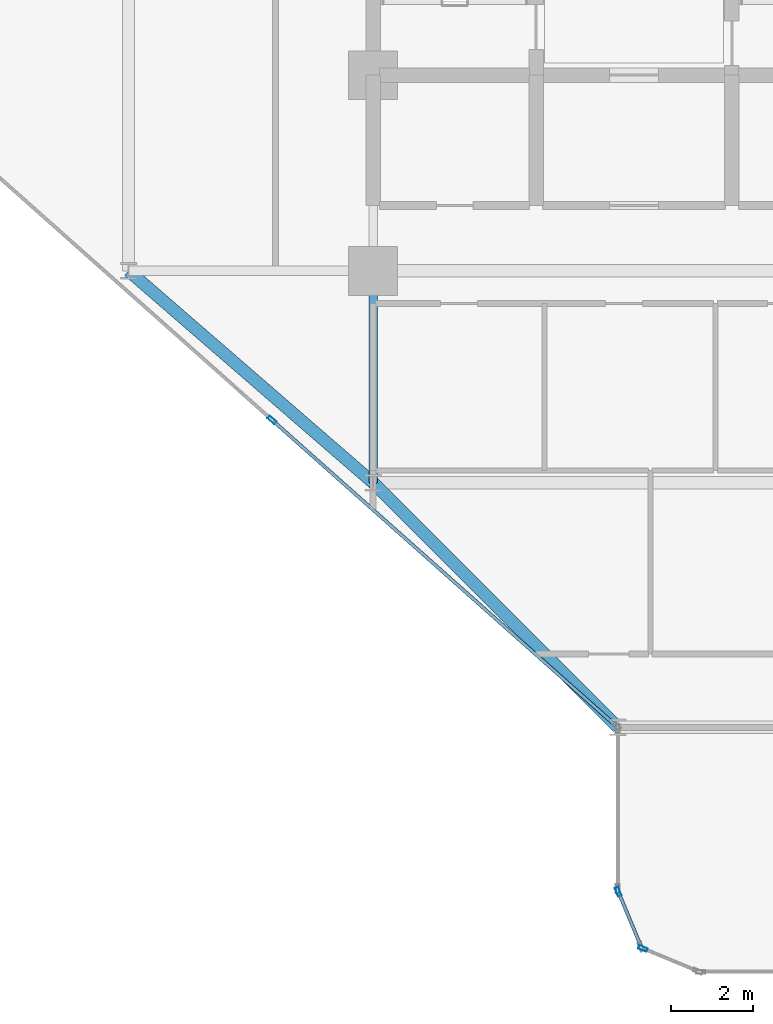
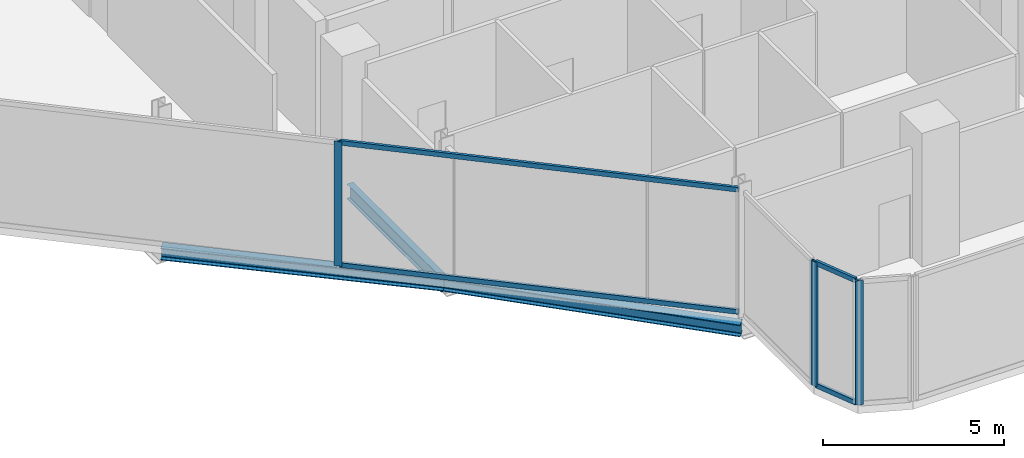
# One storey, part 3 of 30: 7 members, 3 beams, 3 elements without a shape of their own.
"""IFC4 building model written with IfcOpenShell, lengths in metres."""

from ifc_helpers import new_model, si_unit, direction, frame, origin, origin_2d, place, context, subcontext, project, spatial, hollow_rectangle, i_section, extrude, material, layer, layer_set, material_profile, profile_set, type_object, element, aggregate, save


model = new_model("IFC4")

# Units and contexts
model_context = context("Model", 3, precision=1e-05, world=origin(), true_north=direction((0.0, 1.0)))
body_context = subcontext(model_context, "Body", "Model", "MODEL_VIEW")
ifc_project = project(units=[si_unit("LENGTHUNIT", "METRE"), si_unit("AREAUNIT", "SQUARE_METRE"), si_unit("VOLUMEUNIT", "CUBIC_METRE"), si_unit("PLANEANGLEUNIT", "RADIAN"), si_unit("MASSUNIT", "GRAM", prefix="KILO")], contexts=[model_context])

# Site, building, storey
site_placement = place(None, origin())
site = spatial("IfcSite", under=ifc_project, at=site_placement, CompositionType="ELEMENT")
building_placement = place(site_placement, origin())
building = spatial("IfcBuilding", under=site, at=building_placement, Name="Keshet Zoharim Tower", CompositionType="ELEMENT")
storey_placement = place(building_placement, frame((0.0, 0.0, 65.60009765625)))
storey = spatial("IfcBuildingStorey", under=building, at=storey_placement, Name="L15", CompositionType="ELEMENT", Elevation=65.60009765625)

# Beams
ifc_material_1 = material(Name="Steel S355", Category="steel")
ifc_material_profile_1 = material_profile(ifc_material_1, i_section(OverallWidth=0.199951171875, OverallDepth=0.5, WebThickness=0.01025390625, FlangeThickness=0.01611328125, FilletRadius=0.02099609375, at=origin_2d()), Name="IPE500")
ifc_profile_set_1 = profile_set([ifc_material_profile_1], Name="Steel S355")
beam_type_1 = type_object("IfcBeamType", Name="BM-PRI-IP500", PredefinedType="BEAM", material=ifc_profile_set_1)
beam_1_placement = place(storey_placement, frame((15.0, 12.699951171875, -0.570068359375), z_axis=(0.0, 1.0, 0.0), x_axis=(-1.0, 0.0, 0.0)))
element("IfcBeam", 1, at=beam_1_placement, inside=storey, type_object=beam_type_1, Name="L15 Primary Girder Y-002", PredefinedType="BEAM", context=body_context, shape_type="SweptSolid", body=[
    extrude(i_section(OverallWidth=0.199951171875, OverallDepth=0.5, WebThickness=0.01025390625, FlangeThickness=0.01611328125, FilletRadius=0.02099609375, at=origin_2d()), origin(), (0.0, 0.0, 1.0), 5.199951171875),
])
ifc_material_profile_2 = material_profile(ifc_material_1, i_section(OverallWidth=0.300048828125, OverallDepth=0.39990234375, WebThickness=0.013427734375, FlangeThickness=0.02392578125, FilletRadius=0.027099609375, at=origin_2d()), Name="HEB400")
ifc_profile_set_2 = profile_set([ifc_material_profile_2], Name="Steel S355")
beam_type_2 = type_object("IfcBeamType", Name="BM-SPN-HB400", PredefinedType="SPANDREL", material=ifc_profile_set_2)
beam_2_placement = place(storey_placement, frame((21.0, 6.699951171875, -0.52001953125), z_axis=(-0.707106781187, 0.707106781187, 0.0), x_axis=(-0.707106781187, -0.707106781187, 0.0)))
element("IfcBeam", 2, at=beam_2_placement, inside=storey, type_object=beam_type_2, Name="L15 Perimeter Spandrel Beam 01", PredefinedType="SPANDREL", context=body_context, shape_type="SweptSolid", body=[
    extrude(i_section(OverallWidth=0.300048828125, OverallDepth=0.39990234375, WebThickness=0.013427734375, FlangeThickness=0.02392578125, FilletRadius=0.027099609375, at=origin_2d()), origin(), (0.0, 0.0, 1.0), 8.4853515625),
])
beam_3_placement = place(storey_placement, frame((9.0, 17.89990234375, -0.52001953125), z_axis=(0.755692126483, -0.654927026447, 0.0), x_axis=(0.654927026447, 0.755692126483, 0.0)))
element("IfcBeam", 3, at=beam_3_placement, inside=storey, type_object=beam_type_2, Name="L15 Perimeter Spandrel Beam 02", PredefinedType="SPANDREL", context=body_context, shape_type="SweptSolid", body=[
    extrude(i_section(OverallWidth=0.300048828125, OverallDepth=0.39990234375, WebThickness=0.013427734375, FlangeThickness=0.02392578125, FilletRadius=0.027099609375, at=origin_2d()), origin(), (0.0, 0.0, 1.0), 7.939697265625),
])

# Curtain wall, member
ifc_material_2 = material(Name="Aluminium 6063-T6", Category="aluminium")
ifc_layer = layer(ifc_material_2, 0.179931640625)
ifc_layer_set = layer_set([ifc_layer], Name="Aluminium 6063-T6")
curtain_wall_type = type_object("IfcCurtainWallType", Name="CW-SYS-01", PredefinedType="NOTDEFINED", material=ifc_layer_set)
curtain_wall_1_placement = place(storey_placement, origin())
curtain_wall_1 = element("IfcCurtainWall", 4, at=curtain_wall_1_placement, inside=storey, type_object=curtain_wall_type, Name="L15 Unitised Curtain Wall 20", PredefinedType="NOTDEFINED")
ifc_material_profile_3 = material_profile(ifc_material_2, hollow_rectangle(XDim=0.090087890625, YDim=0.219970703125, WallThickness=0.0048828125, at=origin_2d()), Name="MUL-90x220")
ifc_profile_set_3 = profile_set([ifc_material_profile_3], Name="Aluminium 6063-T6")
member_type_1 = type_object("IfcMemberType", Name="CWM-M22", PredefinedType="MULLION", material=ifc_profile_set_3)
member_1_placement = place(storey_placement, frame((21.618408203125, 1.272705078125, 0.0), z_axis=(0.0, 0.0, 1.0), x_axis=(-0.382851849847, -0.92380975372, 0.0)))
member_1 = element("IfcMember", 5, at=member_1_placement, type_object=member_type_1, Name="CW-01 mullion 2", PredefinedType="MULLION", context=body_context, shape_type="SweptSolid", body=[
    extrude(hollow_rectangle(XDim=0.090087890625, YDim=0.219970703125, WallThickness=0.0048828125, at=origin_2d()), origin(), (0.0, 0.0, 1.0), 4.184814453125),
])
aggregate(curtain_wall_1, [member_1])

curtain_wall_2_placement = place(storey_placement, origin())
curtain_wall_2 = element("IfcCurtainWall", 6, at=curtain_wall_2_placement, inside=storey, type_object=curtain_wall_type, Name="L15 Unitised Curtain Wall 21", PredefinedType="NOTDEFINED")
member_2_placement = place(storey_placement, frame((21.013427734375, 2.667724609375, 0.0), z_axis=(0.0, 0.0, 1.0), x_axis=(-0.92380975372, -0.382851849847, 0.0)))
member_2 = element("IfcMember", 7, at=member_2_placement, type_object=member_type_1, Name="CW-01 mullion 2", PredefinedType="MULLION", context=body_context, shape_type="SweptSolid", body=[
    extrude(hollow_rectangle(XDim=0.090087890625, YDim=0.219970703125, WallThickness=0.0048828125, at=origin_2d()), origin(), (0.0, 0.0, 1.0), 4.184814453125),
])

curtain_wall_3_placement = place(storey_placement, origin())
curtain_wall_3 = element("IfcCurtainWall", 8, at=curtain_wall_3_placement, inside=storey, type_object=curtain_wall_type, Name="L15 Unitised Curtain Wall 23", PredefinedType="NOTDEFINED")
member_3_placement = place(storey_placement, frame((12.517578125, 14.239990234375, 0.0), z_axis=(0.0, 0.0, 1.0), x_axis=(-0.664363838836, -0.747409318679, 0.0)))
member_3 = element("IfcMember", 9, at=member_3_placement, type_object=member_type_1, Name="CW-01 mullion 2", PredefinedType="MULLION", context=body_context, shape_type="SweptSolid", body=[
    extrude(hollow_rectangle(XDim=0.090087890625, YDim=0.219970703125, WallThickness=0.0048828125, at=origin_2d()), origin(), (0.0, 0.0, 1.0), 4.184814453125),
])

# Member
ifc_material_profile_4 = material_profile(ifc_material_2, hollow_rectangle(XDim=0.0849609375, YDim=0.159912109375, WallThickness=0.00439453125, at=origin_2d()), Name="TRN-85x160")
ifc_profile_set_4 = profile_set([ifc_material_profile_4], Name="Aluminium 6063-T6")
member_type_2 = type_object("IfcMemberType", Name="CWT-T16", PredefinedType="USERDEFINED", material=ifc_profile_set_4)
member_4_placement = place(storey_placement, frame((21.55908203125, 1.3505859375, 0.034912109375), z_axis=(-0.382744609247, 0.923854189844, 0.0), x_axis=(-0.923854189844, -0.382744609247, 0.0)))
member_4 = element("IfcMember", 10, at=member_4_placement, type_object=member_type_2, Name="CW-01 transom 1.1", ObjectType="TRANSOM", PredefinedType="USERDEFINED", context=body_context, shape_type="SweptSolid", body=[
    extrude(hollow_rectangle(XDim=0.0849609375, YDim=0.159912109375, WallThickness=0.00439453125, at=origin_2d()), origin(), (0.0, 0.0, 1.0), 1.390625),
])

member_5_placement = place(storey_placement, frame((21.55908203125, 1.3505859375, 4.14990234375), z_axis=(-0.382744609247, 0.923854189844, 0.0), x_axis=(-0.923854189844, -0.382744609247, 0.0)))
member_5 = element("IfcMember", 11, at=member_5_placement, type_object=member_type_2, Name="CW-01 transom 1.2", ObjectType="TRANSOM", PredefinedType="USERDEFINED", context=body_context, shape_type="SweptSolid", body=[
    extrude(hollow_rectangle(XDim=0.0849609375, YDim=0.159912109375, WallThickness=0.00439453125, at=origin_2d()), origin(), (0.0, 0.0, 1.0), 1.390625),
])

aggregate(curtain_wall_2, [member_2, member_4, member_5])

member_6_placement = place(storey_placement, frame((20.94775390625, 6.74658203125, 0.034912109375), z_axis=(-0.747411714548, 0.664361143472, 0.0), x_axis=(-0.664361143472, -0.747411714548, 0.0)))
member_6 = element("IfcMember", 12, at=member_6_placement, type_object=member_type_2, Name="CW-01 transom 1.1", ObjectType="TRANSOM", PredefinedType="USERDEFINED", context=body_context, shape_type="SweptSolid", body=[
    extrude(hollow_rectangle(XDim=0.0849609375, YDim=0.159912109375, WallThickness=0.00439453125, at=origin_2d()), origin(), (0.0, 0.0, 1.0), 11.244140625),
])

member_7_placement = place(storey_placement, frame((20.94775390625, 6.74658203125, 4.14990234375), z_axis=(-0.747411714548, 0.664361143472, 0.0), x_axis=(-0.664361143472, -0.747411714548, 0.0)))
member_7 = element("IfcMember", 13, at=member_7_placement, type_object=member_type_2, Name="CW-01 transom 1.2", ObjectType="TRANSOM", PredefinedType="USERDEFINED", context=body_context, shape_type="SweptSolid", body=[
    extrude(hollow_rectangle(XDim=0.0849609375, YDim=0.159912109375, WallThickness=0.00439453125, at=origin_2d()), origin(), (0.0, 0.0, 1.0), 11.244140625),
])

aggregate(curtain_wall_3, [member_3, member_6, member_7])

save(model, "model.ifc")
